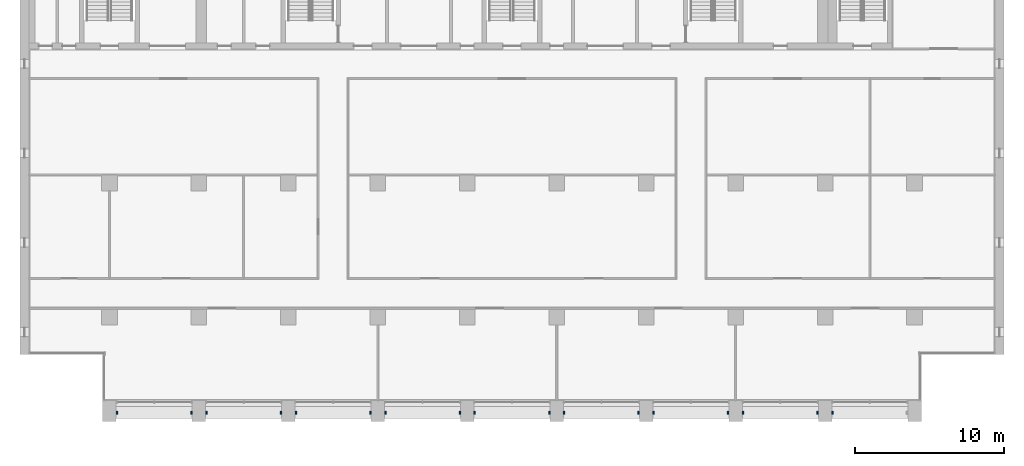
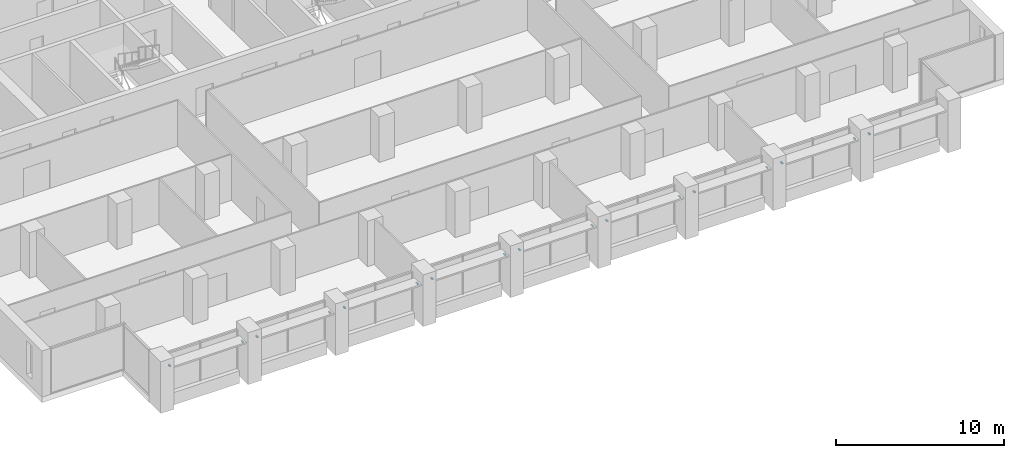
# One storey, part 14 of 17: 17 discrete accessories.
"""IFC4 building model written with IfcOpenShell, lengths in metres."""

import ifcopenshell
import ifcopenshell.guid

model = None  # the IFC model being written
_history = None  # IfcOwnerHistory: only IFC2X3 demands one
_inside = {}  # id of a spatial element -> (the spatial element, [elements in it])
_under = {}  # id of a project, library or spatial element -> (it, [spatial elements below it])
_declared = {}  # id of a project -> (the project, [libraries it declares])
_typed = {}  # id of a type object -> (the type object, [elements of that type])
_made_of = {}  # id of a material, layer set ... -> (it, [elements and type objects made of it])


def new_model(schema):
    """Start an empty IFC model of exactly this schema.

    Asked for "IFC4X3", IfcOpenShell would pick the latest addendum, in which some entities
    have other attributes; the version numbers below select the first issue.
    IFC2X3 requires an IfcOwnerHistory on every rooted entity: one is made here for all.
    """
    global model, _history
    if schema == "IFC4X3":
        model = ifcopenshell.file(schema_version=(4, 3, 0, 0))
    else:
        model = ifcopenshell.file(schema=schema)
    _inside.clear()
    _under.clear()
    _declared.clear()
    _typed.clear()
    _made_of.clear()
    _history = None
    if model.schema == "IFC2X3":
        org = make("IfcOrganization", Name="unknown")
        user = make(
            "IfcPersonAndOrganization",
            ThePerson=make("IfcPerson", FamilyName="unknown"),
            TheOrganization=org,
        )
        app = make(
            "IfcApplication",
            ApplicationDeveloper=org,
            Version="unknown",
            ApplicationFullName="unknown",
            ApplicationIdentifier="unknown",
        )
        _history = make(
            "IfcOwnerHistory",
            OwningUser=user,
            OwningApplication=app,
            ChangeAction="ADDED",
            CreationDate=0,
        )
    return model


def make(cls, **values):
    """One entity of the class cls with the attributes given. An attribute that is None is left unset."""
    return model.create_entity(
        cls, **{name: value for name, value in values.items() if value is not None}
    )


def rooted(cls, **values):
    """An entity with a GlobalId (a new one), such as an element, a storey or a relation."""
    return make(cls, GlobalId=ifcopenshell.guid.new(), OwnerHistory=_history, **values)


def si_unit(unit_type, name, prefix=None):
    """IfcSIUnit, for example si_unit("LENGTHUNIT", "METRE", prefix="MILLI")."""
    return make("IfcSIUnit", UnitType=unit_type, Prefix=prefix, Name=name)


def assignment(units):
    """IfcUnitAssignment: the units of a project."""
    return None if units is None else make("IfcUnitAssignment", Units=units)


def point(xyz):
    """IfcCartesianPoint."""
    return None if xyz is None else make("IfcCartesianPoint", Coordinates=xyz)


def direction(xyz):
    """IfcDirection."""
    return None if xyz is None else make("IfcDirection", DirectionRatios=xyz)


def frame(location, z_axis=None, x_axis=None):
    """IfcAxis2Placement3D, a coordinate frame: its origin and axes. An axis left out is left unset."""
    return make(
        "IfcAxis2Placement3D",
        Location=point(location),
        Axis=direction(z_axis),
        RefDirection=direction(x_axis),
    )


def frame_2d(location, x_axis=None):
    """IfcAxis2Placement2D, a coordinate frame in the plane: its origin and x axis."""
    return make(
        "IfcAxis2Placement2D", Location=point(location), RefDirection=direction(x_axis)
    )


def origin():
    """The frame at (0, 0, 0) with its axes left unset."""
    return frame((0.0, 0.0, 0.0))


def origin_2d():
    """The frame at (0, 0) in the plane with its x axis left unset."""
    return frame_2d((0.0, 0.0))


def place(relative_to, where):
    """IfcLocalPlacement: puts the frame where relative to a parent placement (None: the world)."""
    return make(
        "IfcLocalPlacement", PlacementRelTo=relative_to, RelativePlacement=where
    )


def context(
    kind, dimensions, precision=None, world=None, true_north=None, identifier=None
):
    """IfcGeometricRepresentationContext, for example the 3D "Model" context."""
    return make(
        "IfcGeometricRepresentationContext",
        ContextIdentifier=identifier,
        ContextType=kind,
        CoordinateSpaceDimension=dimensions,
        Precision=precision,
        WorldCoordinateSystem=world,
        TrueNorth=true_north,
    )


def subcontext(parent, identifier, kind, view, scale=None):
    """IfcGeometricRepresentationSubContext, for example "Body" below "Model"."""
    return make(
        "IfcGeometricRepresentationSubContext",
        ContextIdentifier=identifier,
        ContextType=kind,
        ParentContext=parent,
        TargetScale=scale,
        TargetView=view,
    )


def project(units=None, contexts=None):
    """IfcProject with its units and contexts."""
    return rooted(
        "IfcProject",
        Name="project",
        RepresentationContexts=contexts,
        UnitsInContext=assignment(units),
    )


def spatial(cls, under=None, at=None, **own):
    """A site, building, storey or space (cls), placed at a placement, below another one or the project."""
    s = rooted(cls, ObjectPlacement=at, **own)
    if under is not None:
        _under.setdefault(under.id(), (under, []))[1].append(s)
    return s


def profile(cls, at=None, kind="AREA", **sizes):
    """A parametric profile (cls). Its sizes go by their IFC names, for example OverallWidth=200.0."""
    return make(cls, ProfileType=kind, Position=at, **sizes)


def rectangle(**sizes):
    """IfcRectangleProfileDef."""
    return profile("IfcRectangleProfileDef", **sizes)


def extrude(swept, where, along, depth):
    """IfcExtrudedAreaSolid: the profile swept, set in the frame where, extruded along a direction by depth."""
    return make(
        "IfcExtrudedAreaSolid",
        SweptArea=swept,
        Position=where,
        ExtrudedDirection=direction(along),
        Depth=depth,
    )


def shape(context_of_items, identifier, shape_type, items):
    """IfcShapeRepresentation: the items that make up one representation, for example the "Body"."""
    return make(
        "IfcShapeRepresentation",
        ContextOfItems=context_of_items,
        RepresentationIdentifier=identifier,
        RepresentationType=shape_type,
        Items=items,
    )


def made_of(thing, what):
    """Note that an element or type object is made of a material, layer set ...; save() writes the relation."""
    if what is not None:
        _made_of.setdefault(what.id(), (what, []))[1].append(thing)
    return thing


def element(
    cls,
    number,
    at=None,
    inside=None,
    cuts=None,
    type_object=None,
    material=None,
    context=None,
    identifier="Body",
    shape_type=None,
    held_by="IfcProductDefinitionShape",
    body=None,
    shapes=None,
    **own,
):
    """One element of the class cls, such as IfcWall. Its Tag is "e" and its number.

    at: its placement. inside: the storey or other place that contains it. cuts: it is an
    opening in that element (IfcRelVoidsElement). A single representation is given by context,
    identifier, shape_type and body (its items); several are given by shapes. held_by: the class
    of the entity that holds the representations. save() writes the other relations.
    """
    e = rooted(cls, Tag="e%d" % number, ObjectPlacement=at, **own)
    if body is not None:
        shapes = [shape(context, identifier, shape_type, body)]
    if shapes is not None:
        e.Representation = make(held_by, Representations=shapes)
    if inside is not None:
        _inside.setdefault(inside.id(), (inside, []))[1].append(e)
    if cuts is not None:
        rooted(
            "IfcRelVoidsElement", RelatingBuildingElement=cuts, RelatedOpeningElement=e
        )
    if type_object is not None:
        _typed.setdefault(type_object.id(), (type_object, []))[1].append(e)
    return made_of(e, material)


def aggregate(whole, parts):
    """IfcRelAggregates: a whole, such as a stair, and the parts it consists of."""
    return rooted("IfcRelAggregates", RelatingObject=whole, RelatedObjects=parts)


def save(model, path):
    """Write the relations noted so far, then the file.

    IfcRelAggregates (storeys below a building ...), IfcRelContainedInSpatialStructure (elements
    in a storey), IfcRelDefinesByType, IfcRelAssociatesMaterial and IfcRelDeclares: one each for
    every whole, place, type object, material and project.
    """
    for whole, parts in _under.values():
        aggregate(whole, parts)
    for where, things in _inside.values():
        rooted(
            "IfcRelContainedInSpatialStructure",
            RelatedElements=things,
            RelatingStructure=where,
        )
    for kind, things in _typed.values():
        rooted("IfcRelDefinesByType", RelatedObjects=things, RelatingType=kind)
    for what, things in _made_of.values():
        rooted("IfcRelAssociatesMaterial", RelatedObjects=things, RelatingMaterial=what)
    for by, libraries in _declared.values():
        rooted("IfcRelDeclares", RelatingContext=by, RelatedDefinitions=libraries)
    model.write(path)


model = new_model("IFC4")

# Units and contexts
model_context = context("Model", 3, precision=1e-05, world=origin(), true_north=direction((0.0, 1.0)))
body_context = subcontext(model_context, "Body", "Model", "MODEL_VIEW")
ifc_project = project(units=[si_unit("LENGTHUNIT", "METRE"), si_unit("AREAUNIT", "SQUARE_METRE"), si_unit("VOLUMEUNIT", "CUBIC_METRE"), si_unit("PLANEANGLEUNIT", "RADIAN"), si_unit("MASSUNIT", "GRAM", prefix="KILO")], contexts=[model_context])

# Site, building, storey
site_placement = place(None, origin())
site = spatial("IfcSite", under=ifc_project, at=site_placement, CompositionType="ELEMENT")
building_placement = place(site_placement, origin())
building = spatial("IfcBuilding", under=site, at=building_placement, Name="Calvaro Tower", CompositionType="ELEMENT")
storey_placement = place(building_placement, frame((0.0, 0.0, 208.0)))
storey = spatial("IfcBuildingStorey", under=building, at=storey_placement, Name="L52", CompositionType="ELEMENT", Elevation=208.0)

# Discrete accessories
for number, where, z_axis, x_axis, name in (
    (1, (12.5, 3.60009765625, 2.349853515625), (0.0, 0.0, 1.0), (1.0, 0.0, 0.0), "Brise-soleil bracket"),
    (2, (17.5, 3.60009765625, 2.349853515625), (0.0, 0.0, 1.0), (1.0, 0.0, 0.0), "Brise-soleil bracket"),
    (3, (18.5, 3.60009765625, 2.349853515625), (0.0, 0.0, 1.0), (1.0, 0.0, 0.0), "Brise-soleil bracket"),
    (4, (23.5, 3.60009765625, 2.349853515625), (0.0, 0.0, 1.0), (1.0, 0.0, 0.0), "Brise-soleil bracket"),
    (5, (24.5, 3.60009765625, 2.349853515625), (0.0, 0.0, 1.0), (1.0, 0.0, 0.0), "Brise-soleil bracket"),
    (6, (29.5, 3.60009765625, 2.349853515625), (0.0, 0.0, 1.0), (1.0, 0.0, 0.0), "Brise-soleil bracket"),
    (7, (30.5, 3.60009765625, 2.349853515625), (0.0, 0.0, 1.0), (1.0, 0.0, 0.0), "Brise-soleil bracket"),
    (8, (35.5, 3.60009765625, 2.349853515625), (0.0, 0.0, 1.0), (1.0, 0.0, 0.0), "Brise-soleil bracket"),
    (9, (36.5, 3.60009765625, 2.349853515625), (0.0, 0.0, 1.0), (1.0, 0.0, 0.0), "Brise-soleil bracket"),
    (10, (41.5, 3.60009765625, 2.349853515625), (0.0, 0.0, 1.0), (1.0, 0.0, 0.0), "Brise-soleil bracket"),
    (11, (42.5, 3.60009765625, 2.349853515625), (0.0, 0.0, 1.0), (1.0, 0.0, 0.0), "Brise-soleil bracket"),
    (12, (47.5, 3.60009765625, 2.349853515625), (0.0, 0.0, 1.0), (1.0, 0.0, 0.0), "Brise-soleil bracket"),
    (13, (48.5, 3.60009765625, 2.349853515625), (0.0, 0.0, 1.0), (1.0, 0.0, 0.0), "Brise-soleil bracket"),
    (14, (53.5, 3.60009765625, 2.349853515625), (0.0, 0.0, 1.0), (1.0, 0.0, 0.0), "Brise-soleil bracket"),
    (15, (54.5, 3.60009765625, 2.349853515625), (0.0, 0.0, 1.0), (1.0, 0.0, 0.0), "Brise-soleil bracket"),
    (16, (59.5, 3.60009765625, 2.349853515625), (0.0, 0.0, 1.0), (1.0, 0.0, 0.0), "Brise-soleil bracket"),
    (17, (60.5, 3.60009765625, 2.349853515625), (0.0, 0.0, 1.0), (1.0, 0.0, 0.0), "Brise-soleil bracket"),
):
    element("IfcDiscreteAccessory", number, at=place(storey_placement, frame(where, z_axis=z_axis, x_axis=x_axis)), inside=storey, Name=name, PredefinedType="BRACKET", context=body_context, shape_type="SweptSolid", body=[
        extrude(rectangle(XDim=0.10009765625, YDim=0.199951171875, at=origin_2d()), origin(), (0.0, 0.0, 1.0), 0.10009765625),
    ])

save(model, "model.ifc")
